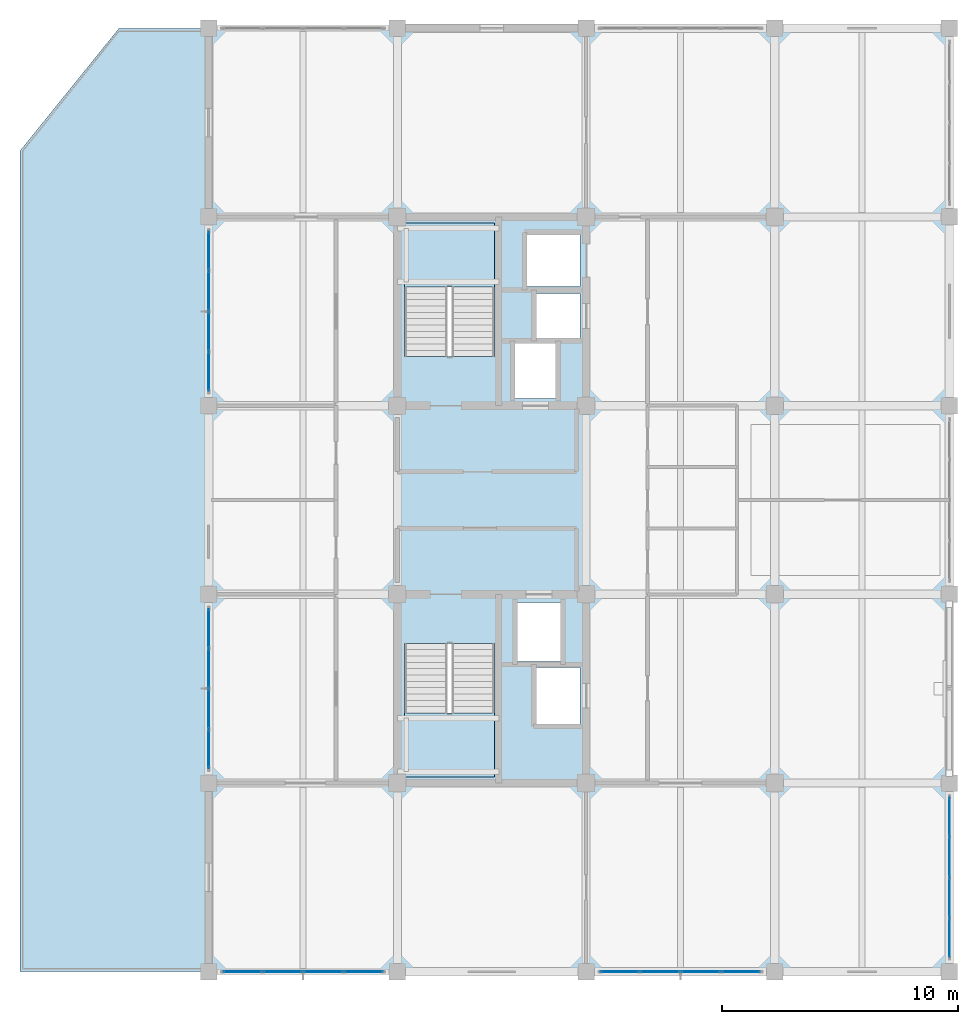
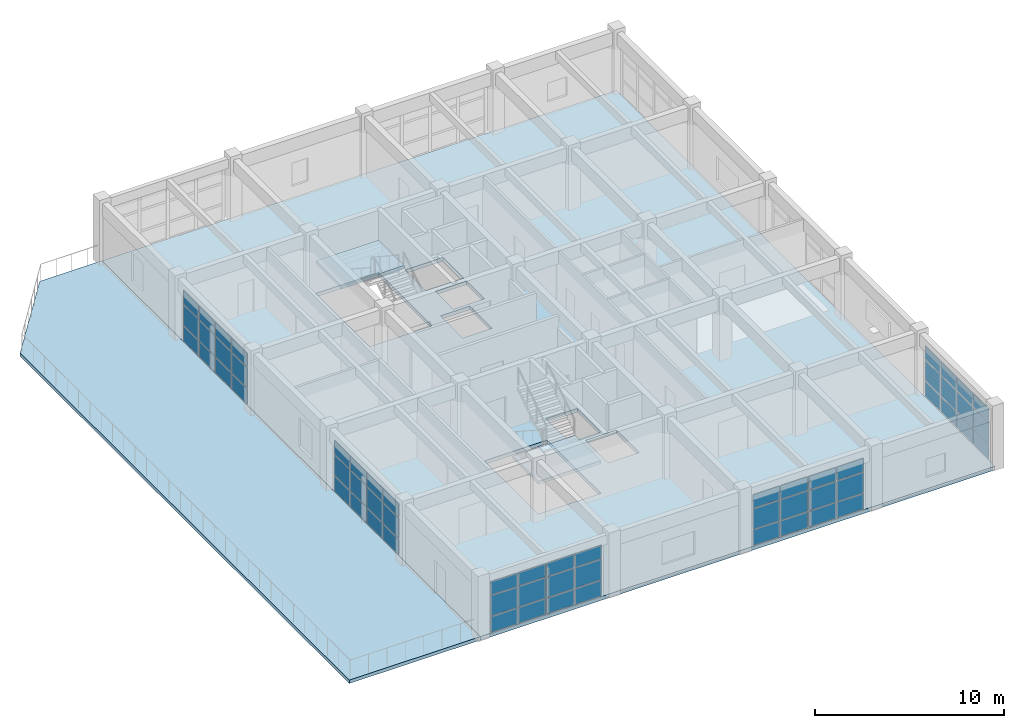
# One storey, part 17 of 25: 60 plates, 4 slabs, 7 elements without a shape of their own.
"""IFC4 building model written with IfcOpenShell, lengths in metres."""

import ifcopenshell
import ifcopenshell.guid

model = None  # the IFC model being written
_history = None  # IfcOwnerHistory: only IFC2X3 demands one
_inside = {}  # id of a spatial element -> (the spatial element, [elements in it])
_under = {}  # id of a project, library or spatial element -> (it, [spatial elements below it])
_declared = {}  # id of a project -> (the project, [libraries it declares])
_typed = {}  # id of a type object -> (the type object, [elements of that type])
_made_of = {}  # id of a material, layer set ... -> (it, [elements and type objects made of it])


def new_model(schema):
    """Start an empty IFC model of exactly this schema.

    Asked for "IFC4X3", IfcOpenShell would pick the latest addendum, in which some entities
    have other attributes; the version numbers below select the first issue.
    IFC2X3 requires an IfcOwnerHistory on every rooted entity: one is made here for all.
    """
    global model, _history
    if schema == "IFC4X3":
        model = ifcopenshell.file(schema_version=(4, 3, 0, 0))
    else:
        model = ifcopenshell.file(schema=schema)
    _inside.clear()
    _under.clear()
    _declared.clear()
    _typed.clear()
    _made_of.clear()
    _history = None
    if model.schema == "IFC2X3":
        org = make("IfcOrganization", Name="unknown")
        user = make(
            "IfcPersonAndOrganization",
            ThePerson=make("IfcPerson", FamilyName="unknown"),
            TheOrganization=org,
        )
        app = make(
            "IfcApplication",
            ApplicationDeveloper=org,
            Version="unknown",
            ApplicationFullName="unknown",
            ApplicationIdentifier="unknown",
        )
        _history = make(
            "IfcOwnerHistory",
            OwningUser=user,
            OwningApplication=app,
            ChangeAction="ADDED",
            CreationDate=0,
        )
    return model


def make(cls, **values):
    """One entity of the class cls with the attributes given. An attribute that is None is left unset."""
    return model.create_entity(
        cls, **{name: value for name, value in values.items() if value is not None}
    )


def rooted(cls, **values):
    """An entity with a GlobalId (a new one), such as an element, a storey or a relation."""
    return make(cls, GlobalId=ifcopenshell.guid.new(), OwnerHistory=_history, **values)


def si_unit(unit_type, name, prefix=None):
    """IfcSIUnit, for example si_unit("LENGTHUNIT", "METRE", prefix="MILLI")."""
    return make("IfcSIUnit", UnitType=unit_type, Prefix=prefix, Name=name)


def assignment(units):
    """IfcUnitAssignment: the units of a project."""
    return None if units is None else make("IfcUnitAssignment", Units=units)


def point(xyz):
    """IfcCartesianPoint."""
    return None if xyz is None else make("IfcCartesianPoint", Coordinates=xyz)


def direction(xyz):
    """IfcDirection."""
    return None if xyz is None else make("IfcDirection", DirectionRatios=xyz)


def frame(location, z_axis=None, x_axis=None):
    """IfcAxis2Placement3D, a coordinate frame: its origin and axes. An axis left out is left unset."""
    return make(
        "IfcAxis2Placement3D",
        Location=point(location),
        Axis=direction(z_axis),
        RefDirection=direction(x_axis),
    )


def frame_2d(location, x_axis=None):
    """IfcAxis2Placement2D, a coordinate frame in the plane: its origin and x axis."""
    return make(
        "IfcAxis2Placement2D", Location=point(location), RefDirection=direction(x_axis)
    )


def origin():
    """The frame at (0, 0, 0) with its axes left unset."""
    return frame((0.0, 0.0, 0.0))


def origin_2d():
    """The frame at (0, 0) in the plane with its x axis left unset."""
    return frame_2d((0.0, 0.0))


def place(relative_to, where):
    """IfcLocalPlacement: puts the frame where relative to a parent placement (None: the world)."""
    return make(
        "IfcLocalPlacement", PlacementRelTo=relative_to, RelativePlacement=where
    )


def context(
    kind, dimensions, precision=None, world=None, true_north=None, identifier=None
):
    """IfcGeometricRepresentationContext, for example the 3D "Model" context."""
    return make(
        "IfcGeometricRepresentationContext",
        ContextIdentifier=identifier,
        ContextType=kind,
        CoordinateSpaceDimension=dimensions,
        Precision=precision,
        WorldCoordinateSystem=world,
        TrueNorth=true_north,
    )


def subcontext(parent, identifier, kind, view, scale=None):
    """IfcGeometricRepresentationSubContext, for example "Body" below "Model"."""
    return make(
        "IfcGeometricRepresentationSubContext",
        ContextIdentifier=identifier,
        ContextType=kind,
        ParentContext=parent,
        TargetScale=scale,
        TargetView=view,
    )


def project(units=None, contexts=None):
    """IfcProject with its units and contexts."""
    return rooted(
        "IfcProject",
        Name="project",
        RepresentationContexts=contexts,
        UnitsInContext=assignment(units),
    )


def spatial(cls, under=None, at=None, **own):
    """A site, building, storey or space (cls), placed at a placement, below another one or the project."""
    s = rooted(cls, ObjectPlacement=at, **own)
    if under is not None:
        _under.setdefault(under.id(), (under, []))[1].append(s)
    return s


def polyline(points):
    """IfcPolyline through the points."""
    return make("IfcPolyline", Points=[point(p) for p in points])


def profile(cls, at=None, kind="AREA", **sizes):
    """A parametric profile (cls). Its sizes go by their IFC names, for example OverallWidth=200.0."""
    return make(cls, ProfileType=kind, Position=at, **sizes)


def rectangle(**sizes):
    """IfcRectangleProfileDef."""
    return profile("IfcRectangleProfileDef", **sizes)


def outline(outer, holes=None, kind="AREA"):
    """IfcArbitraryClosedProfileDef: a profile drawn as a closed curve; with holes, ...WithVoids."""
    if holes is None:
        return make("IfcArbitraryClosedProfileDef", ProfileType=kind, OuterCurve=outer)
    return make(
        "IfcArbitraryProfileDefWithVoids",
        ProfileType=kind,
        OuterCurve=outer,
        InnerCurves=holes,
    )


def extrude(swept, where, along, depth):
    """IfcExtrudedAreaSolid: the profile swept, set in the frame where, extruded along a direction by depth."""
    return make(
        "IfcExtrudedAreaSolid",
        SweptArea=swept,
        Position=where,
        ExtrudedDirection=direction(along),
        Depth=depth,
    )


def shape(context_of_items, identifier, shape_type, items):
    """IfcShapeRepresentation: the items that make up one representation, for example the "Body"."""
    return make(
        "IfcShapeRepresentation",
        ContextOfItems=context_of_items,
        RepresentationIdentifier=identifier,
        RepresentationType=shape_type,
        Items=items,
    )


def material(Name=None, Category=None):
    """IfcMaterial."""
    return make("IfcMaterial", Name=Name, Category=Category)


def layer(
    of_material, thickness, ventilated=None, Name=None, Category=None, Priority=None
):
    """IfcMaterialLayer: one layer of a wall or slab, of a material (None: an air gap)."""
    return make(
        "IfcMaterialLayer",
        Material=of_material,
        LayerThickness=thickness,
        IsVentilated=ventilated,
        Name=Name,
        Category=Category,
        Priority=Priority,
    )


def layer_set(layers, Name=None):
    """IfcMaterialLayerSet."""
    return make("IfcMaterialLayerSet", MaterialLayers=layers, LayerSetName=Name)


def made_of(thing, what):
    """Note that an element or type object is made of a material, layer set ...; save() writes the relation."""
    if what is not None:
        _made_of.setdefault(what.id(), (what, []))[1].append(thing)
    return thing


def type_object(cls, material=None, **own):
    """A type object (cls), such as IfcWallType, which elements share."""
    return made_of(rooted(cls, **own), material)


def element(
    cls,
    number,
    at=None,
    inside=None,
    cuts=None,
    type_object=None,
    material=None,
    context=None,
    identifier="Body",
    shape_type=None,
    held_by="IfcProductDefinitionShape",
    body=None,
    shapes=None,
    **own,
):
    """One element of the class cls, such as IfcWall. Its Tag is "e" and its number.

    at: its placement. inside: the storey or other place that contains it. cuts: it is an
    opening in that element (IfcRelVoidsElement). A single representation is given by context,
    identifier, shape_type and body (its items); several are given by shapes. held_by: the class
    of the entity that holds the representations. save() writes the other relations.
    """
    e = rooted(cls, Tag="e%d" % number, ObjectPlacement=at, **own)
    if body is not None:
        shapes = [shape(context, identifier, shape_type, body)]
    if shapes is not None:
        e.Representation = make(held_by, Representations=shapes)
    if inside is not None:
        _inside.setdefault(inside.id(), (inside, []))[1].append(e)
    if cuts is not None:
        rooted(
            "IfcRelVoidsElement", RelatingBuildingElement=cuts, RelatedOpeningElement=e
        )
    if type_object is not None:
        _typed.setdefault(type_object.id(), (type_object, []))[1].append(e)
    return made_of(e, material)


def aggregate(whole, parts):
    """IfcRelAggregates: a whole, such as a stair, and the parts it consists of."""
    return rooted("IfcRelAggregates", RelatingObject=whole, RelatedObjects=parts)


def save(model, path):
    """Write the relations noted so far, then the file.

    IfcRelAggregates (storeys below a building ...), IfcRelContainedInSpatialStructure (elements
    in a storey), IfcRelDefinesByType, IfcRelAssociatesMaterial and IfcRelDeclares: one each for
    every whole, place, type object, material and project.
    """
    for whole, parts in _under.values():
        aggregate(whole, parts)
    for where, things in _inside.values():
        rooted(
            "IfcRelContainedInSpatialStructure",
            RelatedElements=things,
            RelatingStructure=where,
        )
    for kind, things in _typed.values():
        rooted("IfcRelDefinesByType", RelatedObjects=things, RelatingType=kind)
    for what, things in _made_of.values():
        rooted("IfcRelAssociatesMaterial", RelatedObjects=things, RelatingMaterial=what)
    for by, libraries in _declared.values():
        rooted("IfcRelDeclares", RelatingContext=by, RelatedDefinitions=libraries)
    model.write(path)


model = new_model("IFC4")

# Units and contexts
model_context = context("Model", 3, precision=1e-05, world=origin(), true_north=direction((0.0, 1.0)))
body_context = subcontext(model_context, "Body", "Model", "MODEL_VIEW")
ifc_project = project(units=[si_unit("LENGTHUNIT", "METRE"), si_unit("AREAUNIT", "SQUARE_METRE"), si_unit("VOLUMEUNIT", "CUBIC_METRE"), si_unit("PLANEANGLEUNIT", "RADIAN"), si_unit("MASSUNIT", "GRAM", prefix="KILO")], contexts=[model_context])

# Site, building, storey
site_placement = place(None, origin())
site = spatial("IfcSite", under=ifc_project, at=site_placement, CompositionType="ELEMENT")
building_placement = place(site_placement, origin())
building = spatial("IfcBuilding", under=site, at=building_placement, Name="Canggui Botanical Conservatory", CompositionType="ELEMENT")
storey_placement = place(building_placement, frame((0.0, 0.0, 40.199951171875)))
storey = spatial("IfcBuildingStorey", under=building, at=storey_placement, Name="L10", CompositionType="ELEMENT", Elevation=40.199951171875)

# Curtain wall, plates
ifc_material_1 = material(Name="Thermally Broken Aluminium", Category="aluminium")
ifc_layer_1 = layer(ifc_material_1, 0.179931640625, Name="Thermally Broken Aluminium", Category="aluminium")
ifc_layer_set_1 = layer_set([ifc_layer_1], Name="Thermally Broken Aluminium")
curtain_wall_type = type_object("IfcCurtainWallType", Name="CW-UNIT-A", PredefinedType="USERDEFINED", material=ifc_layer_set_1)
curtain_wall_1_placement = place(storey_placement, origin())
curtain_wall_1 = element("IfcCurtainWall", 1, at=curtain_wall_1_placement, inside=storey, type_object=curtain_wall_type, Name="Facade Curtain Wall CW-TWR-L10-02", ObjectType="UNITISED CURTAIN WALL", PredefinedType="USERDEFINED")
ifc_material_2 = material(Name="Low-E Insulated Glass", Category="glass")
ifc_layer_2 = layer(ifc_material_2, 0.02587890625, Name="Low-E Insulated Glass", Category="glass")
ifc_layer_set_2 = layer_set([ifc_layer_2], Name="Low-E Insulated Glass")
plate_type = type_object("IfcPlateType", Name="CWP-01", PredefinedType="CURTAIN_PANEL", material=ifc_layer_set_2)
plate_1_placement = place(storey_placement, frame((168.5625, 34.0, 0.06494140625), z_axis=(0.0, 0.0, 1.0), x_axis=(-1.0, 0.0, 0.0)))
plate_1 = element("IfcPlate", 2, at=plate_1_placement, type_object=plate_type, Name="CW-01 panel 1.1", PredefinedType="CURTAIN_PANEL", context=body_context, shape_type="SweptSolid", body=[
    extrude(rectangle(XDim=1.614990234375, YDim=0.02587890625, at=origin_2d()), origin(), (0.0, 0.0, 1.0), 0.990478515625),
])
plate_2_placement = place(storey_placement, frame((168.5625, 34.0, 1.12060546875), z_axis=(0.0, 0.0, 1.0), x_axis=(-1.0, 0.0, 0.0)))
plate_2 = element("IfcPlate", 3, at=plate_2_placement, type_object=plate_type, Name="CW-01 panel 1.2", PredefinedType="CURTAIN_PANEL", context=body_context, shape_type="SweptSolid", body=[
    extrude(rectangle(XDim=1.614990234375, YDim=0.02587890625, at=origin_2d()), origin(), (0.0, 0.0, 1.0), 1.294921875),
])
plate_3_placement = place(storey_placement, frame((168.5625, 34.0, 2.48046875), z_axis=(0.0, 0.0, 1.0), x_axis=(-1.0, 0.0, 0.0)))
plate_3 = element("IfcPlate", 4, at=plate_3_placement, type_object=plate_type, Name="CW-01 panel 1.3", PredefinedType="CURTAIN_PANEL", context=body_context, shape_type="SweptSolid", body=[
    extrude(rectangle(XDim=1.614990234375, YDim=0.02587890625, at=origin_2d()), origin(), (0.0, 0.0, 1.0), 0.8544921875),
])
plate_4_placement = place(storey_placement, frame((166.860107421875, 34.0, 0.06494140625), z_axis=(0.0, 0.0, 1.0), x_axis=(-1.0, 0.0, 0.0)))
plate_4 = element("IfcPlate", 5, at=plate_4_placement, type_object=plate_type, Name="CW-01 panel 2.1", PredefinedType="CURTAIN_PANEL", context=body_context, shape_type="SweptSolid", body=[
    extrude(rectangle(XDim=1.64990234375, YDim=0.02587890625, at=origin_2d()), origin(), (0.0, 0.0, 1.0), 0.990478515625),
])
plate_5_placement = place(storey_placement, frame((166.860107421875, 34.0, 1.12060546875), z_axis=(0.0, 0.0, 1.0), x_axis=(-1.0, 0.0, 0.0)))
plate_5 = element("IfcPlate", 6, at=plate_5_placement, type_object=plate_type, Name="CW-01 panel 2.2", PredefinedType="CURTAIN_PANEL", context=body_context, shape_type="SweptSolid", body=[
    extrude(rectangle(XDim=1.64990234375, YDim=0.02587890625, at=origin_2d()), origin(), (0.0, 0.0, 1.0), 1.294921875),
])
plate_6_placement = place(storey_placement, frame((166.860107421875, 34.0, 2.48046875), z_axis=(0.0, 0.0, 1.0), x_axis=(-1.0, 0.0, 0.0)))
plate_6 = element("IfcPlate", 7, at=plate_6_placement, type_object=plate_type, Name="CW-01 panel 2.3", PredefinedType="CURTAIN_PANEL", context=body_context, shape_type="SweptSolid", body=[
    extrude(rectangle(XDim=1.64990234375, YDim=0.02587890625, at=origin_2d()), origin(), (0.0, 0.0, 1.0), 0.8544921875),
])
plate_7_placement = place(storey_placement, frame((165.139892578125, 34.0, 0.06494140625), z_axis=(0.0, 0.0, 1.0), x_axis=(-1.0, 0.0, 0.0)))
plate_7 = element("IfcPlate", 8, at=plate_7_placement, type_object=plate_type, Name="CW-01 panel 3.1", PredefinedType="CURTAIN_PANEL", context=body_context, shape_type="SweptSolid", body=[
    extrude(rectangle(XDim=1.64990234375, YDim=0.02587890625, at=origin_2d()), origin(), (0.0, 0.0, 1.0), 0.990478515625),
])
plate_8_placement = place(storey_placement, frame((165.139892578125, 34.0, 1.12060546875), z_axis=(0.0, 0.0, 1.0), x_axis=(-1.0, 0.0, 0.0)))
plate_8 = element("IfcPlate", 9, at=plate_8_placement, type_object=plate_type, Name="CW-01 panel 3.2", PredefinedType="CURTAIN_PANEL", context=body_context, shape_type="SweptSolid", body=[
    extrude(rectangle(XDim=1.64990234375, YDim=0.02587890625, at=origin_2d()), origin(), (0.0, 0.0, 1.0), 1.294921875),
])
plate_9_placement = place(storey_placement, frame((165.139892578125, 34.0, 2.48046875), z_axis=(0.0, 0.0, 1.0), x_axis=(-1.0, 0.0, 0.0)))
plate_9 = element("IfcPlate", 10, at=plate_9_placement, type_object=plate_type, Name="CW-01 panel 3.3", PredefinedType="CURTAIN_PANEL", context=body_context, shape_type="SweptSolid", body=[
    extrude(rectangle(XDim=1.64990234375, YDim=0.02587890625, at=origin_2d()), origin(), (0.0, 0.0, 1.0), 0.8544921875),
])
plate_10_placement = place(storey_placement, frame((163.4375, 34.0, 0.06494140625), z_axis=(0.0, 0.0, 1.0), x_axis=(-1.0, 0.0, 0.0)))
plate_10 = element("IfcPlate", 11, at=plate_10_placement, type_object=plate_type, Name="CW-01 panel 4.1", PredefinedType="CURTAIN_PANEL", context=body_context, shape_type="SweptSolid", body=[
    extrude(rectangle(XDim=1.614990234375, YDim=0.02587890625, at=origin_2d()), origin(), (0.0, 0.0, 1.0), 0.990478515625),
])
plate_11_placement = place(storey_placement, frame((163.4375, 34.0, 1.12060546875), z_axis=(0.0, 0.0, 1.0), x_axis=(-1.0, 0.0, 0.0)))
plate_11 = element("IfcPlate", 12, at=plate_11_placement, type_object=plate_type, Name="CW-01 panel 4.2", PredefinedType="CURTAIN_PANEL", context=body_context, shape_type="SweptSolid", body=[
    extrude(rectangle(XDim=1.614990234375, YDim=0.02587890625, at=origin_2d()), origin(), (0.0, 0.0, 1.0), 1.294921875),
])
plate_12_placement = place(storey_placement, frame((163.4375, 34.0, 2.48046875), z_axis=(0.0, 0.0, 1.0), x_axis=(-1.0, 0.0, 0.0)))
plate_12 = element("IfcPlate", 13, at=plate_12_placement, type_object=plate_type, Name="CW-01 panel 4.3", PredefinedType="CURTAIN_PANEL", context=body_context, shape_type="SweptSolid", body=[
    extrude(rectangle(XDim=1.614990234375, YDim=0.02587890625, at=origin_2d()), origin(), (0.0, 0.0, 1.0), 0.8544921875),
])
aggregate(curtain_wall_1, [plate_1, plate_2, plate_3, plate_4, plate_5, plate_6, plate_7, plate_8, plate_9, plate_10, plate_11, plate_12])

curtain_wall_2_placement = place(storey_placement, origin())
curtain_wall_2 = element("IfcCurtainWall", 14, at=curtain_wall_2_placement, inside=storey, type_object=curtain_wall_type, Name="Facade Curtain Wall CW-TWR-L10-04", ObjectType="UNITISED CURTAIN WALL", PredefinedType="USERDEFINED")
plate_13_placement = place(storey_placement, frame((152.5625, 34.0, 0.06494140625), z_axis=(0.0, 0.0, 1.0), x_axis=(-1.0, 0.0, 0.0)))
plate_13 = element("IfcPlate", 15, at=plate_13_placement, type_object=plate_type, Name="CW-01 panel 1.1", PredefinedType="CURTAIN_PANEL", context=body_context, shape_type="SweptSolid", body=[
    extrude(rectangle(XDim=1.614990234375, YDim=0.02587890625, at=origin_2d()), origin(), (0.0, 0.0, 1.0), 0.990478515625),
])
plate_14_placement = place(storey_placement, frame((152.5625, 34.0, 1.12060546875), z_axis=(0.0, 0.0, 1.0), x_axis=(-1.0, 0.0, 0.0)))
plate_14 = element("IfcPlate", 16, at=plate_14_placement, type_object=plate_type, Name="CW-01 panel 1.2", PredefinedType="CURTAIN_PANEL", context=body_context, shape_type="SweptSolid", body=[
    extrude(rectangle(XDim=1.614990234375, YDim=0.02587890625, at=origin_2d()), origin(), (0.0, 0.0, 1.0), 1.294921875),
])
plate_15_placement = place(storey_placement, frame((152.5625, 34.0, 2.48046875), z_axis=(0.0, 0.0, 1.0), x_axis=(-1.0, 0.0, 0.0)))
plate_15 = element("IfcPlate", 17, at=plate_15_placement, type_object=plate_type, Name="CW-01 panel 1.3", PredefinedType="CURTAIN_PANEL", context=body_context, shape_type="SweptSolid", body=[
    extrude(rectangle(XDim=1.614990234375, YDim=0.02587890625, at=origin_2d()), origin(), (0.0, 0.0, 1.0), 0.8544921875),
])
plate_16_placement = place(storey_placement, frame((150.860107421875, 34.0, 0.06494140625), z_axis=(0.0, 0.0, 1.0), x_axis=(-1.0, 0.0, 0.0)))
plate_16 = element("IfcPlate", 18, at=plate_16_placement, type_object=plate_type, Name="CW-01 panel 2.1", PredefinedType="CURTAIN_PANEL", context=body_context, shape_type="SweptSolid", body=[
    extrude(rectangle(XDim=1.64990234375, YDim=0.02587890625, at=origin_2d()), origin(), (0.0, 0.0, 1.0), 0.990478515625),
])
plate_17_placement = place(storey_placement, frame((150.860107421875, 34.0, 1.12060546875), z_axis=(0.0, 0.0, 1.0), x_axis=(-1.0, 0.0, 0.0)))
plate_17 = element("IfcPlate", 19, at=plate_17_placement, type_object=plate_type, Name="CW-01 panel 2.2", PredefinedType="CURTAIN_PANEL", context=body_context, shape_type="SweptSolid", body=[
    extrude(rectangle(XDim=1.64990234375, YDim=0.02587890625, at=origin_2d()), origin(), (0.0, 0.0, 1.0), 1.294921875),
])
plate_18_placement = place(storey_placement, frame((150.860107421875, 34.0, 2.48046875), z_axis=(0.0, 0.0, 1.0), x_axis=(-1.0, 0.0, 0.0)))
plate_18 = element("IfcPlate", 20, at=plate_18_placement, type_object=plate_type, Name="CW-01 panel 2.3", PredefinedType="CURTAIN_PANEL", context=body_context, shape_type="SweptSolid", body=[
    extrude(rectangle(XDim=1.64990234375, YDim=0.02587890625, at=origin_2d()), origin(), (0.0, 0.0, 1.0), 0.8544921875),
])
plate_19_placement = place(storey_placement, frame((149.139892578125, 34.0, 0.06494140625), z_axis=(0.0, 0.0, 1.0), x_axis=(-1.0, 0.0, 0.0)))
plate_19 = element("IfcPlate", 21, at=plate_19_placement, type_object=plate_type, Name="CW-01 panel 3.1", PredefinedType="CURTAIN_PANEL", context=body_context, shape_type="SweptSolid", body=[
    extrude(rectangle(XDim=1.64990234375, YDim=0.02587890625, at=origin_2d()), origin(), (0.0, 0.0, 1.0), 0.990478515625),
])
plate_20_placement = place(storey_placement, frame((149.139892578125, 34.0, 1.12060546875), z_axis=(0.0, 0.0, 1.0), x_axis=(-1.0, 0.0, 0.0)))
plate_20 = element("IfcPlate", 22, at=plate_20_placement, type_object=plate_type, Name="CW-01 panel 3.2", PredefinedType="CURTAIN_PANEL", context=body_context, shape_type="SweptSolid", body=[
    extrude(rectangle(XDim=1.64990234375, YDim=0.02587890625, at=origin_2d()), origin(), (0.0, 0.0, 1.0), 1.294921875),
])
plate_21_placement = place(storey_placement, frame((149.139892578125, 34.0, 2.48046875), z_axis=(0.0, 0.0, 1.0), x_axis=(-1.0, 0.0, 0.0)))
plate_21 = element("IfcPlate", 23, at=plate_21_placement, type_object=plate_type, Name="CW-01 panel 3.3", PredefinedType="CURTAIN_PANEL", context=body_context, shape_type="SweptSolid", body=[
    extrude(rectangle(XDim=1.64990234375, YDim=0.02587890625, at=origin_2d()), origin(), (0.0, 0.0, 1.0), 0.8544921875),
])
plate_22_placement = place(storey_placement, frame((147.4375, 34.0, 0.06494140625), z_axis=(0.0, 0.0, 1.0), x_axis=(-1.0, 0.0, 0.0)))
plate_22 = element("IfcPlate", 24, at=plate_22_placement, type_object=plate_type, Name="CW-01 panel 4.1", PredefinedType="CURTAIN_PANEL", context=body_context, shape_type="SweptSolid", body=[
    extrude(rectangle(XDim=1.614990234375, YDim=0.02587890625, at=origin_2d()), origin(), (0.0, 0.0, 1.0), 0.990478515625),
])
plate_23_placement = place(storey_placement, frame((147.4375, 34.0, 1.12060546875), z_axis=(0.0, 0.0, 1.0), x_axis=(-1.0, 0.0, 0.0)))
plate_23 = element("IfcPlate", 25, at=plate_23_placement, type_object=plate_type, Name="CW-01 panel 4.2", PredefinedType="CURTAIN_PANEL", context=body_context, shape_type="SweptSolid", body=[
    extrude(rectangle(XDim=1.614990234375, YDim=0.02587890625, at=origin_2d()), origin(), (0.0, 0.0, 1.0), 1.294921875),
])
plate_24_placement = place(storey_placement, frame((147.4375, 34.0, 2.48046875), z_axis=(0.0, 0.0, 1.0), x_axis=(-1.0, 0.0, 0.0)))
plate_24 = element("IfcPlate", 26, at=plate_24_placement, type_object=plate_type, Name="CW-01 panel 4.3", PredefinedType="CURTAIN_PANEL", context=body_context, shape_type="SweptSolid", body=[
    extrude(rectangle(XDim=1.614990234375, YDim=0.02587890625, at=origin_2d()), origin(), (0.0, 0.0, 1.0), 0.8544921875),
])
aggregate(curtain_wall_2, [plate_13, plate_14, plate_15, plate_16, plate_17, plate_18, plate_19, plate_20, plate_21, plate_22, plate_23, plate_24])

curtain_wall_3_placement = place(storey_placement, origin())
curtain_wall_3 = element("IfcCurtainWall", 27, at=curtain_wall_3_placement, inside=storey, type_object=curtain_wall_type, Name="Facade Curtain Wall CW-TWR-L10-06", ObjectType="UNITISED CURTAIN WALL", PredefinedType="USERDEFINED")
plate_25_placement = place(storey_placement, frame((146.0, 43.4375, 0.06494140625), z_axis=(0.0, 0.0, 1.0), x_axis=(0.0, 1.0, 0.0)))
plate_25 = element("IfcPlate", 28, at=plate_25_placement, type_object=plate_type, Name="CW-01 panel 1.1", PredefinedType="CURTAIN_PANEL", context=body_context, shape_type="SweptSolid", body=[
    extrude(rectangle(XDim=1.614990234375, YDim=0.02587890625, at=origin_2d()), origin(), (0.0, 0.0, 1.0), 0.990478515625),
])
plate_26_placement = place(storey_placement, frame((146.0, 43.4375, 1.12060546875), z_axis=(0.0, 0.0, 1.0), x_axis=(0.0, 1.0, 0.0)))
plate_26 = element("IfcPlate", 29, at=plate_26_placement, type_object=plate_type, Name="CW-01 panel 1.2", PredefinedType="CURTAIN_PANEL", context=body_context, shape_type="SweptSolid", body=[
    extrude(rectangle(XDim=1.614990234375, YDim=0.02587890625, at=origin_2d()), origin(), (0.0, 0.0, 1.0), 1.294921875),
])
plate_27_placement = place(storey_placement, frame((146.0, 43.4375, 2.48046875), z_axis=(0.0, 0.0, 1.0), x_axis=(0.0, 1.0, 0.0)))
plate_27 = element("IfcPlate", 30, at=plate_27_placement, type_object=plate_type, Name="CW-01 panel 1.3", PredefinedType="CURTAIN_PANEL", context=body_context, shape_type="SweptSolid", body=[
    extrude(rectangle(XDim=1.614990234375, YDim=0.02587890625, at=origin_2d()), origin(), (0.0, 0.0, 1.0), 0.8544921875),
])
plate_28_placement = place(storey_placement, frame((146.0, 45.139892578125, 0.06494140625), z_axis=(0.0, 0.0, 1.0), x_axis=(0.0, 1.0, 0.0)))
plate_28 = element("IfcPlate", 31, at=plate_28_placement, type_object=plate_type, Name="CW-01 panel 2.1", PredefinedType="CURTAIN_PANEL", context=body_context, shape_type="SweptSolid", body=[
    extrude(rectangle(XDim=1.64990234375, YDim=0.02587890625, at=origin_2d()), origin(), (0.0, 0.0, 1.0), 0.990478515625),
])
plate_29_placement = place(storey_placement, frame((146.0, 45.139892578125, 1.12060546875), z_axis=(0.0, 0.0, 1.0), x_axis=(0.0, 1.0, 0.0)))
plate_29 = element("IfcPlate", 32, at=plate_29_placement, type_object=plate_type, Name="CW-01 panel 2.2", PredefinedType="CURTAIN_PANEL", context=body_context, shape_type="SweptSolid", body=[
    extrude(rectangle(XDim=1.64990234375, YDim=0.02587890625, at=origin_2d()), origin(), (0.0, 0.0, 1.0), 1.294921875),
])
plate_30_placement = place(storey_placement, frame((146.0, 45.139892578125, 2.48046875), z_axis=(0.0, 0.0, 1.0), x_axis=(0.0, 1.0, 0.0)))
plate_30 = element("IfcPlate", 33, at=plate_30_placement, type_object=plate_type, Name="CW-01 panel 2.3", PredefinedType="CURTAIN_PANEL", context=body_context, shape_type="SweptSolid", body=[
    extrude(rectangle(XDim=1.64990234375, YDim=0.02587890625, at=origin_2d()), origin(), (0.0, 0.0, 1.0), 0.8544921875),
])
plate_31_placement = place(storey_placement, frame((146.0, 46.860107421875, 0.06494140625), z_axis=(0.0, 0.0, 1.0), x_axis=(0.0, 1.0, 0.0)))
plate_31 = element("IfcPlate", 34, at=plate_31_placement, type_object=plate_type, Name="CW-01 panel 3.1", PredefinedType="CURTAIN_PANEL", context=body_context, shape_type="SweptSolid", body=[
    extrude(rectangle(XDim=1.64990234375, YDim=0.02587890625, at=origin_2d()), origin(), (0.0, 0.0, 1.0), 0.990478515625),
])
plate_32_placement = place(storey_placement, frame((146.0, 46.860107421875, 1.12060546875), z_axis=(0.0, 0.0, 1.0), x_axis=(0.0, 1.0, 0.0)))
plate_32 = element("IfcPlate", 35, at=plate_32_placement, type_object=plate_type, Name="CW-01 panel 3.2", PredefinedType="CURTAIN_PANEL", context=body_context, shape_type="SweptSolid", body=[
    extrude(rectangle(XDim=1.64990234375, YDim=0.02587890625, at=origin_2d()), origin(), (0.0, 0.0, 1.0), 1.294921875),
])
plate_33_placement = place(storey_placement, frame((146.0, 46.860107421875, 2.48046875), z_axis=(0.0, 0.0, 1.0), x_axis=(0.0, 1.0, 0.0)))
plate_33 = element("IfcPlate", 36, at=plate_33_placement, type_object=plate_type, Name="CW-01 panel 3.3", PredefinedType="CURTAIN_PANEL", context=body_context, shape_type="SweptSolid", body=[
    extrude(rectangle(XDim=1.64990234375, YDim=0.02587890625, at=origin_2d()), origin(), (0.0, 0.0, 1.0), 0.8544921875),
])
plate_34_placement = place(storey_placement, frame((146.0, 48.5625, 0.06494140625), z_axis=(0.0, 0.0, 1.0), x_axis=(0.0, 1.0, 0.0)))
plate_34 = element("IfcPlate", 37, at=plate_34_placement, type_object=plate_type, Name="CW-01 panel 4.1", PredefinedType="CURTAIN_PANEL", context=body_context, shape_type="SweptSolid", body=[
    extrude(rectangle(XDim=1.614990234375, YDim=0.02587890625, at=origin_2d()), origin(), (0.0, 0.0, 1.0), 0.990478515625),
])
plate_35_placement = place(storey_placement, frame((146.0, 48.5625, 1.12060546875), z_axis=(0.0, 0.0, 1.0), x_axis=(0.0, 1.0, 0.0)))
plate_35 = element("IfcPlate", 38, at=plate_35_placement, type_object=plate_type, Name="CW-01 panel 4.2", PredefinedType="CURTAIN_PANEL", context=body_context, shape_type="SweptSolid", body=[
    extrude(rectangle(XDim=1.614990234375, YDim=0.02587890625, at=origin_2d()), origin(), (0.0, 0.0, 1.0), 1.294921875),
])
plate_36_placement = place(storey_placement, frame((146.0, 48.5625, 2.48046875), z_axis=(0.0, 0.0, 1.0), x_axis=(0.0, 1.0, 0.0)))
plate_36 = element("IfcPlate", 39, at=plate_36_placement, type_object=plate_type, Name="CW-01 panel 4.3", PredefinedType="CURTAIN_PANEL", context=body_context, shape_type="SweptSolid", body=[
    extrude(rectangle(XDim=1.614990234375, YDim=0.02587890625, at=origin_2d()), origin(), (0.0, 0.0, 1.0), 0.8544921875),
])
aggregate(curtain_wall_3, [plate_25, plate_26, plate_27, plate_28, plate_29, plate_30, plate_31, plate_32, plate_33, plate_34, plate_35, plate_36])

curtain_wall_4_placement = place(storey_placement, origin())
curtain_wall_4 = element("IfcCurtainWall", 40, at=curtain_wall_4_placement, inside=storey, type_object=curtain_wall_type, Name="Facade Curtain Wall CW-TWR-L10-08", ObjectType="UNITISED CURTAIN WALL", PredefinedType="USERDEFINED")
plate_37_placement = place(storey_placement, frame((146.0, 59.4375, 0.06494140625), z_axis=(0.0, 0.0, 1.0), x_axis=(0.0, 1.0, 0.0)))
plate_37 = element("IfcPlate", 41, at=plate_37_placement, type_object=plate_type, Name="CW-01 panel 1.1", PredefinedType="CURTAIN_PANEL", context=body_context, shape_type="SweptSolid", body=[
    extrude(rectangle(XDim=1.614990234375, YDim=0.02587890625, at=origin_2d()), origin(), (0.0, 0.0, 1.0), 0.990478515625),
])
plate_38_placement = place(storey_placement, frame((146.0, 59.4375, 1.12060546875), z_axis=(0.0, 0.0, 1.0), x_axis=(0.0, 1.0, 0.0)))
plate_38 = element("IfcPlate", 42, at=plate_38_placement, type_object=plate_type, Name="CW-01 panel 1.2", PredefinedType="CURTAIN_PANEL", context=body_context, shape_type="SweptSolid", body=[
    extrude(rectangle(XDim=1.614990234375, YDim=0.02587890625, at=origin_2d()), origin(), (0.0, 0.0, 1.0), 1.294921875),
])
plate_39_placement = place(storey_placement, frame((146.0, 59.4375, 2.48046875), z_axis=(0.0, 0.0, 1.0), x_axis=(0.0, 1.0, 0.0)))
plate_39 = element("IfcPlate", 43, at=plate_39_placement, type_object=plate_type, Name="CW-01 panel 1.3", PredefinedType="CURTAIN_PANEL", context=body_context, shape_type="SweptSolid", body=[
    extrude(rectangle(XDim=1.614990234375, YDim=0.02587890625, at=origin_2d()), origin(), (0.0, 0.0, 1.0), 0.8544921875),
])
plate_40_placement = place(storey_placement, frame((146.0, 61.139892578125, 0.06494140625), z_axis=(0.0, 0.0, 1.0), x_axis=(0.0, 1.0, 0.0)))
plate_40 = element("IfcPlate", 44, at=plate_40_placement, type_object=plate_type, Name="CW-01 panel 2.1", PredefinedType="CURTAIN_PANEL", context=body_context, shape_type="SweptSolid", body=[
    extrude(rectangle(XDim=1.64990234375, YDim=0.02587890625, at=origin_2d()), origin(), (0.0, 0.0, 1.0), 0.990478515625),
])
plate_41_placement = place(storey_placement, frame((146.0, 61.139892578125, 1.12060546875), z_axis=(0.0, 0.0, 1.0), x_axis=(0.0, 1.0, 0.0)))
plate_41 = element("IfcPlate", 45, at=plate_41_placement, type_object=plate_type, Name="CW-01 panel 2.2", PredefinedType="CURTAIN_PANEL", context=body_context, shape_type="SweptSolid", body=[
    extrude(rectangle(XDim=1.64990234375, YDim=0.02587890625, at=origin_2d()), origin(), (0.0, 0.0, 1.0), 1.294921875),
])
plate_42_placement = place(storey_placement, frame((146.0, 61.139892578125, 2.48046875), z_axis=(0.0, 0.0, 1.0), x_axis=(0.0, 1.0, 0.0)))
plate_42 = element("IfcPlate", 46, at=plate_42_placement, type_object=plate_type, Name="CW-01 panel 2.3", PredefinedType="CURTAIN_PANEL", context=body_context, shape_type="SweptSolid", body=[
    extrude(rectangle(XDim=1.64990234375, YDim=0.02587890625, at=origin_2d()), origin(), (0.0, 0.0, 1.0), 0.8544921875),
])
plate_43_placement = place(storey_placement, frame((146.0, 62.860107421875, 0.06494140625), z_axis=(0.0, 0.0, 1.0), x_axis=(0.0, 1.0, 0.0)))
plate_43 = element("IfcPlate", 47, at=plate_43_placement, type_object=plate_type, Name="CW-01 panel 3.1", PredefinedType="CURTAIN_PANEL", context=body_context, shape_type="SweptSolid", body=[
    extrude(rectangle(XDim=1.64990234375, YDim=0.02587890625, at=origin_2d()), origin(), (0.0, 0.0, 1.0), 0.990478515625),
])
plate_44_placement = place(storey_placement, frame((146.0, 62.860107421875, 1.12060546875), z_axis=(0.0, 0.0, 1.0), x_axis=(0.0, 1.0, 0.0)))
plate_44 = element("IfcPlate", 48, at=plate_44_placement, type_object=plate_type, Name="CW-01 panel 3.2", PredefinedType="CURTAIN_PANEL", context=body_context, shape_type="SweptSolid", body=[
    extrude(rectangle(XDim=1.64990234375, YDim=0.02587890625, at=origin_2d()), origin(), (0.0, 0.0, 1.0), 1.294921875),
])
plate_45_placement = place(storey_placement, frame((146.0, 62.860107421875, 2.48046875), z_axis=(0.0, 0.0, 1.0), x_axis=(0.0, 1.0, 0.0)))
plate_45 = element("IfcPlate", 49, at=plate_45_placement, type_object=plate_type, Name="CW-01 panel 3.3", PredefinedType="CURTAIN_PANEL", context=body_context, shape_type="SweptSolid", body=[
    extrude(rectangle(XDim=1.64990234375, YDim=0.02587890625, at=origin_2d()), origin(), (0.0, 0.0, 1.0), 0.8544921875),
])
plate_46_placement = place(storey_placement, frame((146.0, 64.5625, 0.06494140625), z_axis=(0.0, 0.0, 1.0), x_axis=(0.0, 1.0, 0.0)))
plate_46 = element("IfcPlate", 50, at=plate_46_placement, type_object=plate_type, Name="CW-01 panel 4.1", PredefinedType="CURTAIN_PANEL", context=body_context, shape_type="SweptSolid", body=[
    extrude(rectangle(XDim=1.614990234375, YDim=0.02587890625, at=origin_2d()), origin(), (0.0, 0.0, 1.0), 0.990478515625),
])
plate_47_placement = place(storey_placement, frame((146.0, 64.5625, 1.12060546875), z_axis=(0.0, 0.0, 1.0), x_axis=(0.0, 1.0, 0.0)))
plate_47 = element("IfcPlate", 51, at=plate_47_placement, type_object=plate_type, Name="CW-01 panel 4.2", PredefinedType="CURTAIN_PANEL", context=body_context, shape_type="SweptSolid", body=[
    extrude(rectangle(XDim=1.614990234375, YDim=0.02587890625, at=origin_2d()), origin(), (0.0, 0.0, 1.0), 1.294921875),
])
plate_48_placement = place(storey_placement, frame((146.0, 64.5625, 2.48046875), z_axis=(0.0, 0.0, 1.0), x_axis=(0.0, 1.0, 0.0)))
plate_48 = element("IfcPlate", 52, at=plate_48_placement, type_object=plate_type, Name="CW-01 panel 4.3", PredefinedType="CURTAIN_PANEL", context=body_context, shape_type="SweptSolid", body=[
    extrude(rectangle(XDim=1.614990234375, YDim=0.02587890625, at=origin_2d()), origin(), (0.0, 0.0, 1.0), 0.8544921875),
])
aggregate(curtain_wall_4, [plate_37, plate_38, plate_39, plate_40, plate_41, plate_42, plate_43, plate_44, plate_45, plate_46, plate_47, plate_48])

curtain_wall_5_placement = place(storey_placement, origin())
curtain_wall_5 = element("IfcCurtainWall", 53, at=curtain_wall_5_placement, inside=storey, type_object=curtain_wall_type, Name="Facade Curtain Wall CW-TWR-L10-18", ObjectType="UNITISED CURTAIN WALL", PredefinedType="USERDEFINED")
plate_49_placement = place(storey_placement, frame((177.39990234375, 40.5625, 0.06494140625), z_axis=(0.0, 0.0, 1.0), x_axis=(0.0, -1.0, 0.0)))
plate_49 = element("IfcPlate", 54, at=plate_49_placement, type_object=plate_type, Name="CW-01 panel 1.1", PredefinedType="CURTAIN_PANEL", context=body_context, shape_type="SweptSolid", body=[
    extrude(rectangle(XDim=1.614990234375, YDim=0.02587890625, at=origin_2d()), origin(), (0.0, 0.0, 1.0), 0.990478515625),
])
plate_50_placement = place(storey_placement, frame((177.39990234375, 40.5625, 1.12060546875), z_axis=(0.0, 0.0, 1.0), x_axis=(0.0, -1.0, 0.0)))
plate_50 = element("IfcPlate", 55, at=plate_50_placement, type_object=plate_type, Name="CW-01 panel 1.2", PredefinedType="CURTAIN_PANEL", context=body_context, shape_type="SweptSolid", body=[
    extrude(rectangle(XDim=1.614990234375, YDim=0.02587890625, at=origin_2d()), origin(), (0.0, 0.0, 1.0), 1.294921875),
])
plate_51_placement = place(storey_placement, frame((177.39990234375, 40.5625, 2.48046875), z_axis=(0.0, 0.0, 1.0), x_axis=(0.0, -1.0, 0.0)))
plate_51 = element("IfcPlate", 56, at=plate_51_placement, type_object=plate_type, Name="CW-01 panel 1.3", PredefinedType="CURTAIN_PANEL", context=body_context, shape_type="SweptSolid", body=[
    extrude(rectangle(XDim=1.614990234375, YDim=0.02587890625, at=origin_2d()), origin(), (0.0, 0.0, 1.0), 0.8544921875),
])
plate_52_placement = place(storey_placement, frame((177.39990234375, 38.860107421875, 0.06494140625), z_axis=(0.0, 0.0, 1.0), x_axis=(0.0, -1.0, 0.0)))
plate_52 = element("IfcPlate", 57, at=plate_52_placement, type_object=plate_type, Name="CW-01 panel 2.1", PredefinedType="CURTAIN_PANEL", context=body_context, shape_type="SweptSolid", body=[
    extrude(rectangle(XDim=1.64990234375, YDim=0.02587890625, at=origin_2d()), origin(), (0.0, 0.0, 1.0), 0.990478515625),
])
plate_53_placement = place(storey_placement, frame((177.39990234375, 38.860107421875, 1.12060546875), z_axis=(0.0, 0.0, 1.0), x_axis=(0.0, -1.0, 0.0)))
plate_53 = element("IfcPlate", 58, at=plate_53_placement, type_object=plate_type, Name="CW-01 panel 2.2", PredefinedType="CURTAIN_PANEL", context=body_context, shape_type="SweptSolid", body=[
    extrude(rectangle(XDim=1.64990234375, YDim=0.02587890625, at=origin_2d()), origin(), (0.0, 0.0, 1.0), 1.294921875),
])
plate_54_placement = place(storey_placement, frame((177.39990234375, 38.860107421875, 2.48046875), z_axis=(0.0, 0.0, 1.0), x_axis=(0.0, -1.0, 0.0)))
plate_54 = element("IfcPlate", 59, at=plate_54_placement, type_object=plate_type, Name="CW-01 panel 2.3", PredefinedType="CURTAIN_PANEL", context=body_context, shape_type="SweptSolid", body=[
    extrude(rectangle(XDim=1.64990234375, YDim=0.02587890625, at=origin_2d()), origin(), (0.0, 0.0, 1.0), 0.8544921875),
])
plate_55_placement = place(storey_placement, frame((177.39990234375, 37.139892578125, 0.06494140625), z_axis=(0.0, 0.0, 1.0), x_axis=(0.0, -1.0, 0.0)))
plate_55 = element("IfcPlate", 60, at=plate_55_placement, type_object=plate_type, Name="CW-01 panel 3.1", PredefinedType="CURTAIN_PANEL", context=body_context, shape_type="SweptSolid", body=[
    extrude(rectangle(XDim=1.64990234375, YDim=0.02587890625, at=origin_2d()), origin(), (0.0, 0.0, 1.0), 0.990478515625),
])
plate_56_placement = place(storey_placement, frame((177.39990234375, 37.139892578125, 1.12060546875), z_axis=(0.0, 0.0, 1.0), x_axis=(0.0, -1.0, 0.0)))
plate_56 = element("IfcPlate", 61, at=plate_56_placement, type_object=plate_type, Name="CW-01 panel 3.2", PredefinedType="CURTAIN_PANEL", context=body_context, shape_type="SweptSolid", body=[
    extrude(rectangle(XDim=1.64990234375, YDim=0.02587890625, at=origin_2d()), origin(), (0.0, 0.0, 1.0), 1.294921875),
])
plate_57_placement = place(storey_placement, frame((177.39990234375, 37.139892578125, 2.48046875), z_axis=(0.0, 0.0, 1.0), x_axis=(0.0, -1.0, 0.0)))
plate_57 = element("IfcPlate", 62, at=plate_57_placement, type_object=plate_type, Name="CW-01 panel 3.3", PredefinedType="CURTAIN_PANEL", context=body_context, shape_type="SweptSolid", body=[
    extrude(rectangle(XDim=1.64990234375, YDim=0.02587890625, at=origin_2d()), origin(), (0.0, 0.0, 1.0), 0.8544921875),
])
plate_58_placement = place(storey_placement, frame((177.39990234375, 35.4375, 0.06494140625), z_axis=(0.0, 0.0, 1.0), x_axis=(0.0, -1.0, 0.0)))
plate_58 = element("IfcPlate", 63, at=plate_58_placement, type_object=plate_type, Name="CW-01 panel 4.1", PredefinedType="CURTAIN_PANEL", context=body_context, shape_type="SweptSolid", body=[
    extrude(rectangle(XDim=1.614990234375, YDim=0.02587890625, at=origin_2d()), origin(), (0.0, 0.0, 1.0), 0.990478515625),
])
plate_59_placement = place(storey_placement, frame((177.39990234375, 35.4375, 1.12060546875), z_axis=(0.0, 0.0, 1.0), x_axis=(0.0, -1.0, 0.0)))
plate_59 = element("IfcPlate", 64, at=plate_59_placement, type_object=plate_type, Name="CW-01 panel 4.2", PredefinedType="CURTAIN_PANEL", context=body_context, shape_type="SweptSolid", body=[
    extrude(rectangle(XDim=1.614990234375, YDim=0.02587890625, at=origin_2d()), origin(), (0.0, 0.0, 1.0), 1.294921875),
])
plate_60_placement = place(storey_placement, frame((177.39990234375, 35.4375, 2.48046875), z_axis=(0.0, 0.0, 1.0), x_axis=(0.0, -1.0, 0.0)))
plate_60 = element("IfcPlate", 65, at=plate_60_placement, type_object=plate_type, Name="CW-01 panel 4.3", PredefinedType="CURTAIN_PANEL", context=body_context, shape_type="SweptSolid", body=[
    extrude(rectangle(XDim=1.614990234375, YDim=0.02587890625, at=origin_2d()), origin(), (0.0, 0.0, 1.0), 0.8544921875),
])
aggregate(curtain_wall_5, [plate_49, plate_50, plate_51, plate_52, plate_53, plate_54, plate_55, plate_56, plate_57, plate_58, plate_59, plate_60])

# Slabs
ifc_material_3 = material(Name="Concrete C35", Category="concrete")
ifc_layer_3 = layer(ifc_material_3, 0.219970703125, Name="Concrete C35", Category="concrete")
ifc_layer_set_3 = layer_set([ifc_layer_3], Name="Concrete C35")
slab_type_1 = type_object("IfcSlabType", Name="SLAB-F220", PredefinedType="FLOOR", material=ifc_layer_set_3)
slab_1_placement = place(storey_placement, frame((0.0, 0.0, -0.219970703125)))
element("IfcSlab", 66, at=slab_1_placement, inside=storey, type_object=slab_type_1, Name="Research Tower L10 Planted Sky Terrace Slab", PredefinedType="FLOOR", context=body_context, shape_type="SweptSolid", body=[
    extrude(outline(polyline([(138.0, 34.0), (146.0, 34.0), (146.0, 74.0), (142.199951171875, 74.0), (138.0, 68.800048828125), (138.0, 34.0)])), origin(), (0.0, 0.0, 1.0), 0.219970703125),
])
ifc_layer_4 = layer(ifc_material_3, 0.239990234375, Name="Concrete C35", Category="concrete")
ifc_layer_set_4 = layer_set([ifc_layer_4], Name="Concrete C35")
slab_type_2 = type_object("IfcSlabType", Name="SLAB-F240", PredefinedType="FLOOR", material=ifc_layer_set_4)
slab_2_placement = place(storey_placement, frame((0.0, 0.0, -0.239990234375)))
element("IfcSlab", 67, at=slab_2_placement, inside=storey, type_object=slab_type_2, Name="Research Tower L10 Floor Slab", PredefinedType="FLOOR", context=body_context, shape_type="SweptSolid", body=[
    extrude(outline(polyline([(146.0, 34.0), (177.39990234375, 34.0), (177.39990234375, 74.0), (146.0, 74.0), (146.0, 34.0)]), holes=[polyline([(154.300048828125, 47.91943359375), (154.300048828125, 42.260009765625), (158.1201171875, 42.260009765625), (158.1201171875, 47.91943359375), (154.300048828125, 47.91943359375)]), polyline([(158.1201171875, 60.08056640625), (158.1201171875, 65.739990234375), (154.300048828125, 65.739990234375), (154.300048828125, 60.08056640625), (158.1201171875, 60.08056640625)]), polyline([(159.050048828125, 47.14990234375), (160.949951171875, 47.14990234375), (160.949951171875, 49.64990234375), (159.050048828125, 49.64990234375), (159.050048828125, 47.14990234375)]), polyline([(159.85009765625, 44.5), (161.75, 44.5), (161.75, 46.89990234375), (159.85009765625, 46.89990234375), (159.85009765625, 44.5)]), polyline([(158.949951171875, 58.300048828125), (160.75, 58.300048828125), (160.75, 60.64990234375), (158.949951171875, 60.64990234375), (158.949951171875, 58.300048828125)]), polyline([(159.85009765625, 60.85009765625), (161.75, 60.85009765625), (161.75, 62.75), (159.85009765625, 62.75), (159.85009765625, 60.85009765625)]), polyline([(159.449951171875, 63.050048828125), (161.75, 63.050048828125), (161.75, 65.25), (159.449951171875, 65.25), (159.449951171875, 63.050048828125)])]), origin(), (0.0, 0.0, 1.0), 0.239990234375),
])

# Stair, slab
stair_type = type_object("IfcStairType", Name="STR-TYPE-6", PredefinedType="HALF_TURN_STAIR", material=ifc_material_3)
stair_1_placement = place(storey_placement, origin())
stair_1 = element("IfcStair", 68, at=stair_1_placement, inside=storey, type_object=stair_type, Name="L10 Tower South Smoke-Proof Stair ST-T1", PredefinedType="HALF_TURN_STAIR")
ifc_layer_5 = layer(ifc_material_3, 0.199951171875, Name="Concrete C35", Category="concrete")
ifc_layer_set_5 = layer_set([ifc_layer_5], Name="Concrete C35")
slab_type_3 = type_object("IfcSlabType", Name="SLAB-LND-200", PredefinedType="LANDING", material=ifc_layer_set_5)
slab_3_placement = place(storey_placement, frame((0.0, 0.0, 1.900146484375)))
slab_3 = element("IfcSlab", 69, at=slab_3_placement, type_object=slab_type_3, Name="ST-T1 landing 1", PredefinedType="LANDING", context=body_context, shape_type="SweptSolid", body=[
    extrude(outline(polyline([(154.300048828125, 44.972412109375), (154.300048828125, 42.260009765625), (158.1201171875, 42.260009765625), (158.1201171875, 44.972412109375), (154.300048828125, 44.972412109375)])), origin(), (0.0, 0.0, 1.0), 0.199951171875),
])
aggregate(stair_1, [slab_3])

stair_2_placement = place(storey_placement, origin())
stair_2 = element("IfcStair", 70, at=stair_2_placement, inside=storey, type_object=stair_type, Name="L10 Tower North Smoke-Proof Stair ST-T2", PredefinedType="HALF_TURN_STAIR")
slab_4_placement = place(storey_placement, frame((0.0, 0.0, 1.900146484375)))
slab_4 = element("IfcSlab", 71, at=slab_4_placement, type_object=slab_type_3, Name="ST-T2 landing 1", PredefinedType="LANDING", context=body_context, shape_type="SweptSolid", body=[
    extrude(outline(polyline([(158.1201171875, 63.027587890625), (158.1201171875, 65.739990234375), (154.300048828125, 65.739990234375), (154.300048828125, 63.027587890625), (158.1201171875, 63.027587890625)])), origin(), (0.0, 0.0, 1.0), 0.199951171875),
])
aggregate(stair_2, [slab_4])

save(model, "model.ifc")
